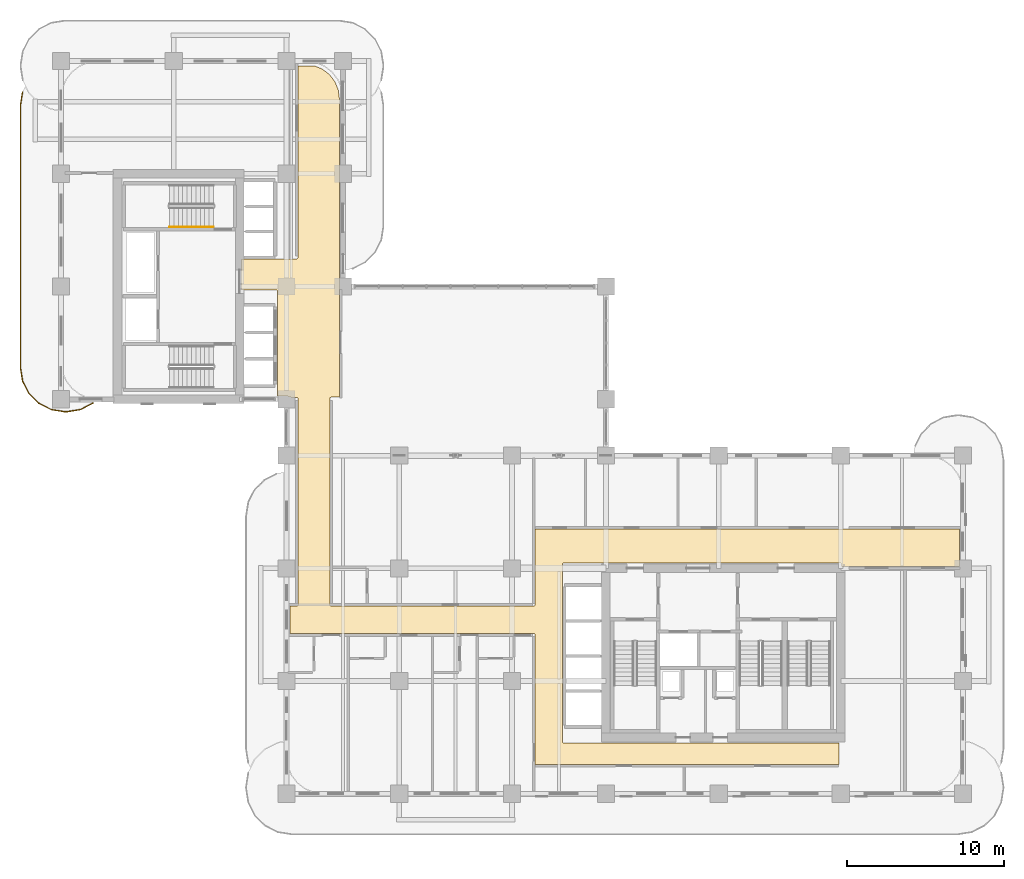
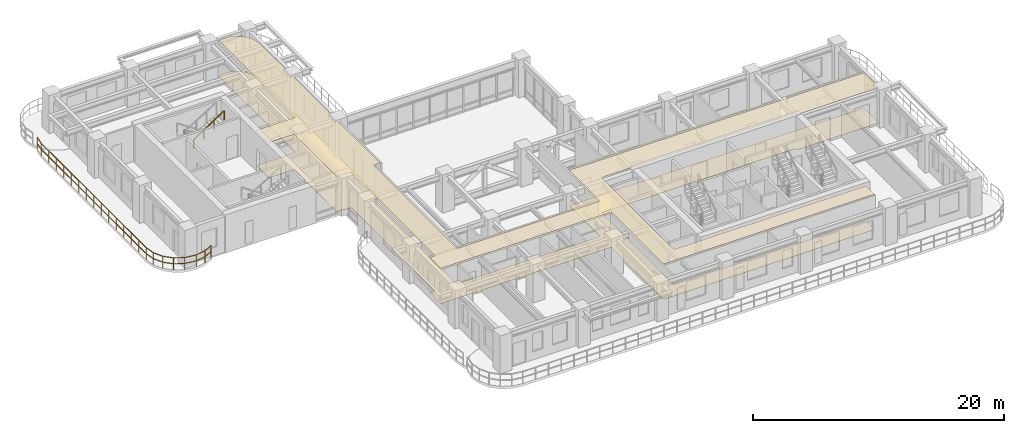
# One storey, part 20 of 21: 2 coverings, 2 railings.
"""IFC4 building model written with IfcOpenShell, lengths in metres."""

from ifc_helpers import new_model, si_unit, derived_unit, direction, frame, origin, origin_2d, place, context, subcontext, project, spatial, polyline, rectangle, outline, extrude, material, layer, layer_set, type_object, element, save


model = new_model("IFC4")

# Units and contexts
model_context = context("Model", 3, precision=1e-05, world=origin(), true_north=direction((0.0, 1.0)))
body_context = subcontext(model_context, "Body", "Model", "MODEL_VIEW")
ifc_project = project(units=[si_unit("LENGTHUNIT", "METRE"), si_unit("AREAUNIT", "SQUARE_METRE"), si_unit("VOLUMEUNIT", "CUBIC_METRE"), si_unit("PLANEANGLEUNIT", "RADIAN"), si_unit("MASSUNIT", "GRAM", prefix="KILO"), si_unit("THERMODYNAMICTEMPERATUREUNIT", "KELVIN"), si_unit("POWERUNIT", "WATT"), derived_unit("THERMALTRANSMITTANCEUNIT", [(si_unit("POWERUNIT", "WATT"), 1), (si_unit("AREAUNIT", "SQUARE_METRE"), -1), (si_unit("THERMODYNAMICTEMPERATUREUNIT", "KELVIN"), -1)])], contexts=[model_context])

# Site, building, storey
site_placement = place(None, origin())
site = spatial("IfcSite", under=ifc_project, at=site_placement, CompositionType="ELEMENT")
building_placement = place(site_placement, origin())
building = spatial("IfcBuilding", under=site, at=building_placement, Name="Zahravan Archway Hotel and Residences", CompositionType="ELEMENT")
storey_placement = place(building_placement, frame((0.0, 0.0, 69.39990234375)))
storey = spatial("IfcBuildingStorey", under=building, at=storey_placement, Name="L16", CompositionType="ELEMENT", Elevation=69.39990234375)

# Coverings
ifc_material_1 = material(Name="Perforated Acoustic Gypsum Ceiling")
ifc_layer_1 = layer(ifc_material_1, 0.02490234375, Name="Perforated Acoustic Gypsum Ceiling")
ifc_layer_set_1 = layer_set([ifc_layer_1], Name="Perforated Acoustic Gypsum Ceiling")
covering_type_1 = type_object("IfcCoveringType", Name="COV-CEIL-ACST", PredefinedType="CEILING", material=ifc_layer_set_1)
covering_1_placement = place(storey_placement, frame((0.0, 0.0, 3.425048828125)))
element("IfcCovering", 1, at=covering_1_placement, inside=storey, type_object=covering_type_1, Name="L16 Acoustic Corridor Ceiling", PredefinedType="CEILING", context=body_context, shape_type="SweptSolid", body=[
    extrude(outline(polyline([(49.830078125, 14.675048828125), (49.81640625, 14.719482421875), (49.780517578125, 14.748779296875), (32.10009765625, 14.7548828125), (32.0556640625, 14.741455078125), (32.026123046875, 14.70556640625), (32.02001953125, 3.324951171875), (32.033447265625, 3.280517578125), (32.0693359375, 3.251220703125), (49.669921875, 3.2451171875), (49.669921875, 1.8798828125), (30.280029296875, 1.8798828125), (30.280029296875, 10.14990234375), (30.2666015625, 10.1943359375), (30.230712890625, 10.223876953125), (14.6201171875, 10.22998046875), (14.6201171875, 11.989990234375), (15.050048828125, 11.989990234375), (15.094482421875, 12.00341796875), (15.123779296875, 12.039306640625), (15.1298828125, 25.25), (15.116455078125, 25.29443359375), (15.08056640625, 25.323974609375), (14.5771484375, 25.330078125), (14.53955078125, 25.3701171875), (14.503662109375, 25.39404296875), (14.4638671875, 25.410400390625), (14.421630859375, 25.4189453125), (13.830078125, 25.419921875), (13.830078125, 32.10009765625), (13.81640625, 32.144287109375), (13.780517578125, 32.173828125), (11.530029296875, 32.179931640625), (11.530029296875, 34.169921875), (15.050048828125, 34.169921875), (15.094482421875, 34.18359375), (15.123779296875, 34.219482421875), (15.1298828125, 46.469970703125), (16.24560546875, 46.469970703125), (16.689208984375, 46.286376953125), (17.14013671875, 45.940185546875), (17.486328125, 45.489013671875), (17.703857421875, 44.9638671875), (17.77001953125, 44.46142578125), (17.77001953125, 25.330078125), (17.25, 25.330078125), (17.20556640625, 25.31640625), (17.176025390625, 25.280517578125), (17.169921875, 12.070068359375), (17.18359375, 12.025634765625), (17.219482421875, 11.99609375), (30.199951171875, 11.989990234375), (30.244384765625, 12.00341796875), (30.27392578125, 12.039306640625), (30.280029296875, 16.919921875), (57.3798828125, 16.919921875), (57.3798828125, 14.530029296875), (49.830078125, 14.530029296875), (49.830078125, 14.675048828125)])), origin(), (0.0, 0.0, 1.0), 0.025146484375),
])
ifc_material_2 = material(Name="Honed Margalla Limestone & Mortar Bed", Category="masonry")
ifc_layer_2 = layer(ifc_material_2, 0.030029296875, Name="Honed Margalla Limestone & Mortar Bed", Category="masonry")
ifc_layer_set_2 = layer_set([ifc_layer_2], Name="Honed Margalla Limestone & Mortar Bed")
covering_type_2 = type_object("IfcCoveringType", Name="COV-FLR-STONE", PredefinedType="FLOORING", material=ifc_layer_set_2)
covering_2_placement = place(storey_placement, origin())
element("IfcCovering", 2, at=covering_2_placement, inside=storey, type_object=covering_type_2, Name="L16 Circulation Floor Finish", PredefinedType="FLOORING", context=body_context, shape_type="SweptSolid", body=[
    extrude(outline(polyline([(49.830078125, 14.675048828125), (49.81640625, 14.719482421875), (49.780517578125, 14.748779296875), (32.10009765625, 14.7548828125), (32.0556640625, 14.741455078125), (32.026123046875, 14.70556640625), (32.02001953125, 3.324951171875), (32.033447265625, 3.280517578125), (32.0693359375, 3.251220703125), (49.669921875, 3.2451171875), (49.669921875, 1.8798828125), (30.280029296875, 1.8798828125), (30.280029296875, 10.14990234375), (30.2666015625, 10.1943359375), (30.230712890625, 10.223876953125), (14.6201171875, 10.22998046875), (14.6201171875, 11.989990234375), (15.050048828125, 11.989990234375), (15.094482421875, 12.00341796875), (15.123779296875, 12.039306640625), (15.1298828125, 25.25), (15.116455078125, 25.29443359375), (15.08056640625, 25.323974609375), (14.5771484375, 25.330078125), (14.53955078125, 25.3701171875), (14.503662109375, 25.39404296875), (14.4638671875, 25.410400390625), (14.421630859375, 25.4189453125), (13.830078125, 25.419921875), (13.830078125, 32.10009765625), (13.81640625, 32.144287109375), (13.780517578125, 32.173828125), (11.530029296875, 32.179931640625), (11.530029296875, 34.169921875), (15.050048828125, 34.169921875), (15.094482421875, 34.18359375), (15.123779296875, 34.219482421875), (15.1298828125, 46.469970703125), (16.24560546875, 46.469970703125), (16.689208984375, 46.286376953125), (17.14013671875, 45.940185546875), (17.486328125, 45.489013671875), (17.703857421875, 44.9638671875), (17.77001953125, 44.46142578125), (17.77001953125, 25.330078125), (17.25, 25.330078125), (17.20556640625, 25.31640625), (17.176025390625, 25.280517578125), (17.169921875, 12.070068359375), (17.18359375, 12.025634765625), (17.219482421875, 11.99609375), (30.199951171875, 11.989990234375), (30.244384765625, 12.00341796875), (30.27392578125, 12.039306640625), (30.280029296875, 16.919921875), (57.3798828125, 16.919921875), (57.3798828125, 14.530029296875), (49.830078125, 14.530029296875), (49.830078125, 14.675048828125)])), origin(), (0.0, 0.0, 1.0), 0.030029296875),
])

# Railings
ifc_material_3 = material(Name="Bronze & Laminated Glass Balustrade", Category="glass")
railing_type_1 = type_object("IfcRailingType", Name="RL-BAL-1200", PredefinedType="BALUSTRADE", material=ifc_material_3)
railing_1_placement = place(storey_placement, frame((2.025146484375, 24.9443359375, 0.0)))
element("IfcRailing", 3, at=railing_1_placement, inside=storey, type_object=railing_type_1, Name="L16 Balustrade RL-SLB-BAL-L16-WB-1", PredefinedType="BALUSTRADE", context=body_context, shape_type="SweptSolid", body=[
    extrude(rectangle(XDim=0.048095703125, YDim=0.048095703125, at=origin_2d()), frame((0.0, 0.0, 1.17578125), z_axis=(-0.891006060389, -0.453991409995, 0.0), x_axis=(0.453991409995, -0.891006060389, 0.0)), (0.0, 0.0, 1.0), 0.8916015625),
    extrude(rectangle(XDim=0.048095703125, YDim=0.048095703125, at=origin_2d()), frame((0.0, 0.0, 0.60009765625), z_axis=(-0.891006060389, -0.453991409995, 0.0), x_axis=(0.453991409995, -0.891006060389, 0.0)), (0.0, 0.0, 1.0), 0.8916015625),
    extrude(rectangle(XDim=0.048095703125, YDim=0.048095703125, at=origin_2d()), frame((-0.79443359375, -0.40478515625, 1.17578125), z_axis=(-0.987658397726, -0.156623399917, 0.0), x_axis=(0.156623399917, -0.987658397726, 0.0)), (0.0, 0.0, 1.0), 0.8916015625),
    extrude(rectangle(XDim=0.048095703125, YDim=0.048095703125, at=origin_2d()), frame((-0.79443359375, -0.40478515625, 0.60009765625), z_axis=(-0.987658397726, -0.156623399917, 0.0), x_axis=(0.156623399917, -0.987658397726, 0.0)), (0.0, 0.0, 1.0), 0.8916015625),
    extrude(rectangle(XDim=0.048095703125, YDim=0.048095703125, at=origin_2d()), frame((-1.675048828125, -0.54443359375, 1.17578125), z_axis=(-1.0, 0.0, 0.0), x_axis=(0.0, -1.0, 0.0)), (0.0, 0.0, 1.0), 0.10009765625),
    extrude(rectangle(XDim=0.048095703125, YDim=0.048095703125, at=origin_2d()), frame((-1.675048828125, -0.54443359375, 0.60009765625), z_axis=(-1.0, 0.0, 0.0), x_axis=(0.0, -1.0, 0.0)), (0.0, 0.0, 1.0), 0.10009765625),
    extrude(rectangle(XDim=0.048095703125, YDim=0.048095703125, at=origin_2d()), frame((-1.775146484375, -0.54443359375, 1.17578125), z_axis=(-0.987658397726, 0.156623399917, 0.0), x_axis=(-0.156623399917, -0.987658397726, 0.0)), (0.0, 0.0, 1.0), 0.8916015625),
    extrude(rectangle(XDim=0.048095703125, YDim=0.048095703125, at=origin_2d()), frame((-1.775146484375, -0.54443359375, 0.60009765625), z_axis=(-0.987658397726, 0.156623399917, 0.0), x_axis=(-0.156623399917, -0.987658397726, 0.0)), (0.0, 0.0, 1.0), 0.8916015625),
    extrude(rectangle(XDim=0.048095703125, YDim=0.048095703125, at=origin_2d()), frame((-2.65576171875, -0.40478515625, 1.17578125), z_axis=(-0.891062476022, 0.45388067135, 0.0), x_axis=(-0.45388067135, -0.891062476022, 0.0)), (0.0, 0.0, 1.0), 0.891845703125),
    extrude(rectangle(XDim=0.048095703125, YDim=0.048095703125, at=origin_2d()), frame((-2.65576171875, -0.40478515625, 0.60009765625), z_axis=(-0.891062476022, 0.45388067135, 0.0), x_axis=(-0.45388067135, -0.891062476022, 0.0)), (0.0, 0.0, 1.0), 0.891845703125),
    extrude(rectangle(XDim=0.048095703125, YDim=0.048095703125, at=origin_2d()), frame((-3.450439453125, 0.0, 1.17578125), z_axis=(-0.707106781187, 0.707106781187, 0.0), x_axis=(-0.707106781187, -0.707106781187, 0.0)), (0.0, 0.0, 1.0), 0.891357421875),
    extrude(rectangle(XDim=0.048095703125, YDim=0.048095703125, at=origin_2d()), frame((-3.450439453125, 0.0, 0.60009765625), z_axis=(-0.707106781187, 0.707106781187, 0.0), x_axis=(-0.707106781187, -0.707106781187, 0.0)), (0.0, 0.0, 1.0), 0.891357421875),
    extrude(rectangle(XDim=0.048095703125, YDim=0.048095703125, at=origin_2d()), frame((-4.080810546875, 0.63037109375, 1.17578125), z_axis=(-0.45388067135, 0.891062476022, 0.0), x_axis=(-0.891062476022, -0.45388067135, 0.0)), (0.0, 0.0, 1.0), 0.891845703125),
    extrude(rectangle(XDim=0.048095703125, YDim=0.048095703125, at=origin_2d()), frame((-4.080810546875, 0.63037109375, 0.60009765625), z_axis=(-0.45388067135, 0.891062476022, 0.0), x_axis=(-0.891062476022, -0.45388067135, 0.0)), (0.0, 0.0, 1.0), 0.891845703125),
    extrude(rectangle(XDim=0.048095703125, YDim=0.048095703125, at=origin_2d()), frame((-4.485595703125, 1.425048828125, 1.17578125), z_axis=(-0.156623399917, 0.987658397726, 0.0), x_axis=(-0.987658397726, -0.156623399917, 0.0)), (0.0, 0.0, 1.0), 0.8916015625),
    extrude(rectangle(XDim=0.048095703125, YDim=0.048095703125, at=origin_2d()), frame((-4.485595703125, 1.425048828125, 0.60009765625), z_axis=(-0.156623399917, 0.987658397726, 0.0), x_axis=(-0.987658397726, -0.156623399917, 0.0)), (0.0, 0.0, 1.0), 0.8916015625),
    extrude(rectangle(XDim=0.048095703125, YDim=0.048095703125, at=origin_2d()), frame((-4.625244140625, 2.3056640625, 1.17578125), z_axis=(0.0, 1.0, 0.0), x_axis=(-1.0, 0.0, 0.0)), (0.0, 0.0, 1.0), 16.699951171875),
    extrude(rectangle(XDim=0.048095703125, YDim=0.048095703125, at=origin_2d()), frame((-4.625244140625, 2.3056640625, 0.60009765625), z_axis=(0.0, 1.0, 0.0), x_axis=(-1.0, 0.0, 0.0)), (0.0, 0.0, 1.0), 16.699951171875),
    extrude(rectangle(XDim=0.048095703125, YDim=0.048095703125, at=origin_2d()), frame((-4.625244140625, 19.005615234375, 1.17578125), z_axis=(0.156581054338, 0.98766511198, 0.0), x_axis=(-0.98766511198, 0.156581054338, 0.0)), (0.0, 0.0, 1.0), 0.891845703125),
    extrude(rectangle(XDim=0.048095703125, YDim=0.048095703125, at=origin_2d()), frame((-4.625244140625, 19.005615234375, 0.60009765625), z_axis=(0.156581054338, 0.98766511198, 0.0), x_axis=(-0.98766511198, 0.156581054338, 0.0)), (0.0, 0.0, 1.0), 0.891845703125),
    extrude(rectangle(XDim=0.0419921875, YDim=0.0419921875, at=origin_2d()), origin(), (0.0, 0.0, 1.0), 1.15185546875),
    extrude(rectangle(XDim=0.0419921875, YDim=0.0419921875, at=origin_2d()), frame((-0.79443359375, -0.40478515625, 0.0)), (0.0, 0.0, 1.0), 1.15185546875),
    extrude(rectangle(XDim=0.0419921875, YDim=0.0419921875, at=origin_2d()), frame((-1.675048828125, -0.54443359375, 0.0)), (0.0, 0.0, 1.0), 1.15185546875),
    extrude(rectangle(XDim=0.0419921875, YDim=0.0419921875, at=origin_2d()), frame((-2.65576171875, -0.40478515625, 0.0)), (0.0, 0.0, 1.0), 1.15185546875),
    extrude(rectangle(XDim=0.0419921875, YDim=0.0419921875, at=origin_2d()), frame((-3.450439453125, 0.0, 0.0)), (0.0, 0.0, 1.0), 1.15185546875),
    extrude(rectangle(XDim=0.0419921875, YDim=0.0419921875, at=origin_2d()), frame((-4.080810546875, 0.63037109375, 0.0)), (0.0, 0.0, 1.0), 1.15185546875),
    extrude(rectangle(XDim=0.0419921875, YDim=0.0419921875, at=origin_2d()), frame((-4.485595703125, 1.425048828125, 0.0)), (0.0, 0.0, 1.0), 1.15185546875),
    extrude(rectangle(XDim=0.0419921875, YDim=0.0419921875, at=origin_2d()), frame((-4.625244140625, 2.3056640625, 0.0)), (0.0, 0.0, 1.0), 1.15185546875),
    extrude(rectangle(XDim=0.0419921875, YDim=0.0419921875, at=origin_2d()), frame((-4.625244140625, 3.49853515625, 0.0)), (0.0, 0.0, 1.0), 1.15185546875),
    extrude(rectangle(XDim=0.0419921875, YDim=0.0419921875, at=origin_2d()), frame((-4.625244140625, 4.69140625, 0.0)), (0.0, 0.0, 1.0), 1.15185546875),
    extrude(rectangle(XDim=0.0419921875, YDim=0.0419921875, at=origin_2d()), frame((-4.625244140625, 5.88427734375, 0.0)), (0.0, 0.0, 1.0), 1.15185546875),
    extrude(rectangle(XDim=0.0419921875, YDim=0.0419921875, at=origin_2d()), frame((-4.625244140625, 7.0771484375, 0.0)), (0.0, 0.0, 1.0), 1.15185546875),
    extrude(rectangle(XDim=0.0419921875, YDim=0.0419921875, at=origin_2d()), frame((-4.625244140625, 8.27001953125, 0.0)), (0.0, 0.0, 1.0), 1.15185546875),
    extrude(rectangle(XDim=0.0419921875, YDim=0.0419921875, at=origin_2d()), frame((-4.625244140625, 9.462890625, 0.0)), (0.0, 0.0, 1.0), 1.15185546875),
    extrude(rectangle(XDim=0.0419921875, YDim=0.0419921875, at=origin_2d()), frame((-4.625244140625, 10.65576171875, 0.0)), (0.0, 0.0, 1.0), 1.15185546875),
    extrude(rectangle(XDim=0.0419921875, YDim=0.0419921875, at=origin_2d()), frame((-4.625244140625, 11.848388671875, 0.0)), (0.0, 0.0, 1.0), 1.15185546875),
    extrude(rectangle(XDim=0.0419921875, YDim=0.0419921875, at=origin_2d()), frame((-4.625244140625, 13.041259765625, 0.0)), (0.0, 0.0, 1.0), 1.15185546875),
    extrude(rectangle(XDim=0.0419921875, YDim=0.0419921875, at=origin_2d()), frame((-4.625244140625, 14.234130859375, 0.0)), (0.0, 0.0, 1.0), 1.15185546875),
    extrude(rectangle(XDim=0.0419921875, YDim=0.0419921875, at=origin_2d()), frame((-4.625244140625, 15.427001953125, 0.0)), (0.0, 0.0, 1.0), 1.15185546875),
    extrude(rectangle(XDim=0.0419921875, YDim=0.0419921875, at=origin_2d()), frame((-4.625244140625, 16.619873046875, 0.0)), (0.0, 0.0, 1.0), 1.15185546875),
    extrude(rectangle(XDim=0.0419921875, YDim=0.0419921875, at=origin_2d()), frame((-4.625244140625, 17.812744140625, 0.0)), (0.0, 0.0, 1.0), 1.15185546875),
    extrude(rectangle(XDim=0.0419921875, YDim=0.0419921875, at=origin_2d()), frame((-4.625244140625, 19.005615234375, 0.0)), (0.0, 0.0, 1.0), 1.15185546875),
    extrude(rectangle(XDim=0.0419921875, YDim=0.0419921875, at=origin_2d()), frame((-4.485595703125, 19.886474609375, 0.0)), (0.0, 0.0, 1.0), 1.15185546875),
])
ifc_material_4 = material(Name="Brushed Stainless Steel", Category="steel")
railing_type_2 = type_object("IfcRailingType", Name="RL-STH-900", PredefinedType="HANDRAIL", material=ifc_material_4)
railing_2_placement = place(storey_placement, frame((6.929931640625, 36.2099609375, 2.018310546875)))
element("IfcRailing", 4, at=railing_2_placement, inside=storey, type_object=railing_type_2, Name="L16 ST-B2 stair handrail 2", PredefinedType="HANDRAIL", context=body_context, shape_type="SweptSolid", body=[
    extrude(rectangle(XDim=0.048095703125, YDim=0.048095703125, at=origin_2d()), frame((0.0, 0.0, 0.8759765625), z_axis=(0.83435981716, 0.0, 0.551220187865), x_axis=(0.0, 1.0, 0.0)), (0.0, 0.0, 1.0), 3.35595703125),
    extrude(rectangle(XDim=0.0419921875, YDim=0.0419921875, at=origin_2d()), origin(), (0.0, 0.0, 1.0), 0.851806640625),
    extrude(rectangle(XDim=0.0419921875, YDim=0.0419921875, at=origin_2d()), frame((0.933349609375, 0.0, 0.61669921875)), (0.0, 0.0, 1.0), 0.851806640625),
    extrude(rectangle(XDim=0.0419921875, YDim=0.0419921875, at=origin_2d()), frame((1.86669921875, 0.0, 1.233154296875)), (0.0, 0.0, 1.0), 0.851806640625),
    extrude(rectangle(XDim=0.0419921875, YDim=0.0419921875, at=origin_2d()), frame((2.800048828125, 0.0, 1.849853515625)), (0.0, 0.0, 1.0), 0.851806640625),
])

save(model, "model.ifc")
